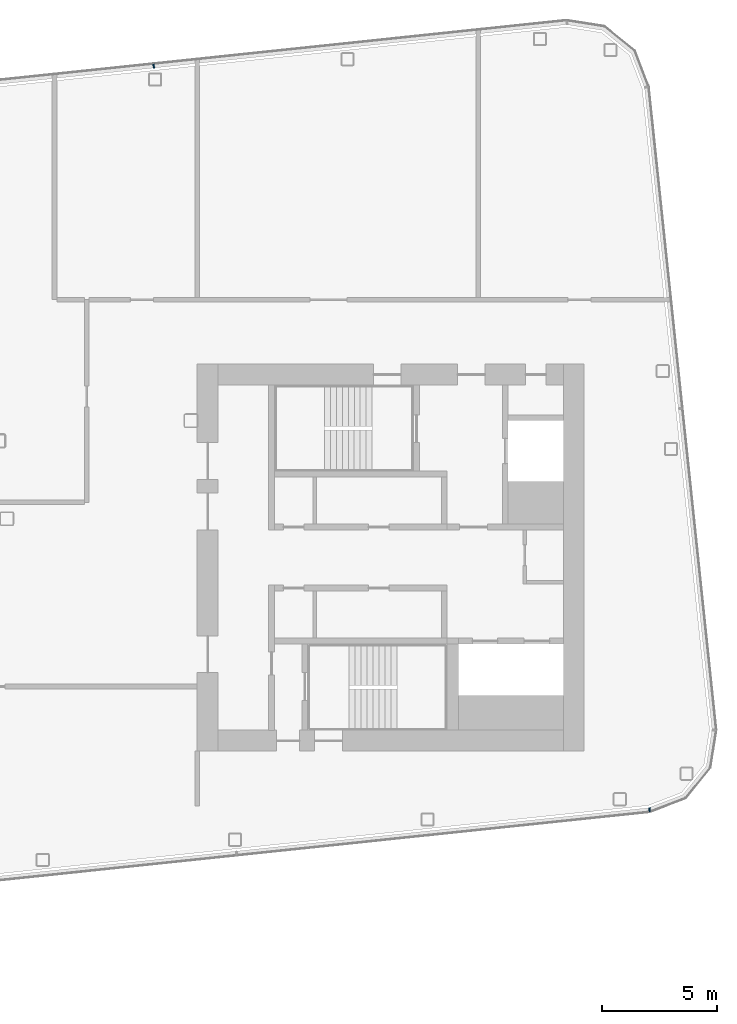
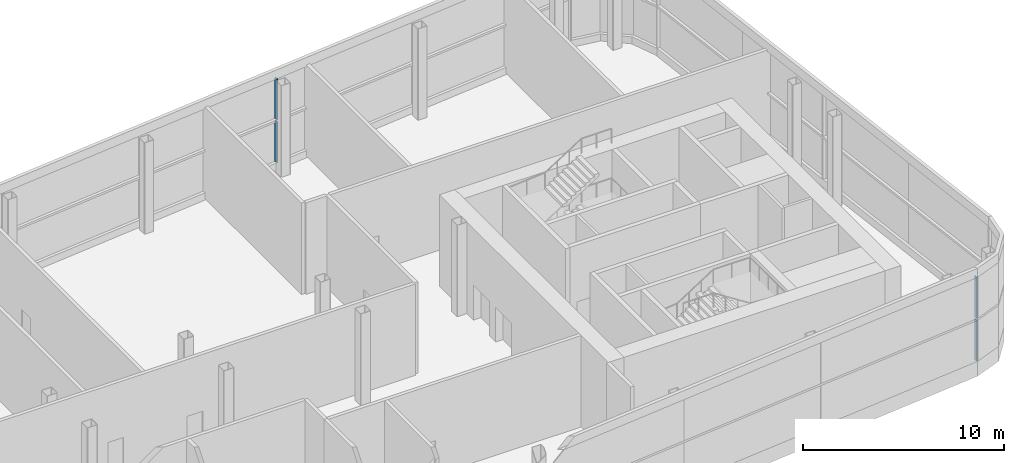
# One storey, part 11 of 35: 4 members, 2 elements without a shape of their own.
"""IFC4 building model written with IfcOpenShell, lengths in metres."""

from ifc_helpers import new_model, si_unit, direction, frame, origin, origin_2d, place, context, subcontext, project, spatial, rectangle, extrude, material, layer, layer_set, material_profile, profile_set, type_object, element, aggregate, save


model = new_model("IFC4")

# Units and contexts
model_context = context("Model", 3, precision=1e-05, world=origin(), true_north=direction((0.0, 1.0)))
body_context = subcontext(model_context, "Body", "Model", "MODEL_VIEW")
ifc_project = project(units=[si_unit("LENGTHUNIT", "METRE"), si_unit("AREAUNIT", "SQUARE_METRE"), si_unit("VOLUMEUNIT", "CUBIC_METRE"), si_unit("PLANEANGLEUNIT", "RADIAN"), si_unit("MASSUNIT", "GRAM", prefix="KILO")], contexts=[model_context])

# Site, building, storey
site_placement = place(None, origin())
site = spatial("IfcSite", under=ifc_project, at=site_placement, CompositionType="ELEMENT")
building_placement = place(site_placement, origin())
building = spatial("IfcBuilding", under=site, at=building_placement, Name="Hakoniwa Tower and Hamabe Station Hall", CompositionType="ELEMENT")
storey_placement = place(building_placement, frame((0.0, 0.0, 270.60009765625)))
storey = spatial("IfcBuildingStorey", under=building, at=storey_placement, Name="L76", CompositionType="ELEMENT", Elevation=270.60009765625)

# Curtain wall, members
ifc_material_1 = material(Name="Dark low-e laminated glass", Category="glass")
ifc_layer = layer(ifc_material_1, 0.199951171875)
ifc_layer_set = layer_set([ifc_layer], Name="CW-1 UNITISED GUEST")
curtain_wall_type = type_object("IfcCurtainWallType", Name="CW-1 UNITISED GUEST", PredefinedType="NOTDEFINED", material=ifc_layer_set)
curtain_wall_1_placement = place(storey_placement, origin())
curtain_wall_1 = element("IfcCurtainWall", 1, at=curtain_wall_1_placement, inside=storey, type_object=curtain_wall_type, Name="CW-1 curtain wall", PredefinedType="NOTDEFINED")
ifc_material_2 = material(Name="Aluminium 6063-T5 black anodised", Category="aluminium")
ifc_material_profile = material_profile(ifc_material_2, rectangle(XDim=0.06005859375, YDim=0.179931640625, at=origin_2d()), Name="CW-1 MULLION 60X180")
ifc_profile_set = profile_set([ifc_material_profile], Name="Aluminium 6063-T5 black anodised")
member_type = type_object("IfcMemberType", Name="CW-1 MULLION 60X180", PredefinedType="MULLION", material=ifc_profile_set)
member_1_placement = place(storey_placement, frame((14.911865234375, 21.343994140625, 0.349853515625), z_axis=(0.0, 0.0, 1.0), x_axis=(-0.994521895272, -0.104528464188, 0.0)))
member_1 = element("IfcMember", 2, at=member_1_placement, type_object=member_type, Name="CW-1 mullion", PredefinedType="MULLION", context=body_context, shape_type="SweptSolid", body=[
    extrude(rectangle(XDim=0.06005859375, YDim=0.179931640625, at=origin_2d()), origin(), (0.0, 0.0, 1.0), 2.489990234375),
])
member_2_placement = place(storey_placement, frame((14.911865234375, 21.343994140625, 2.9599609375), z_axis=(0.0, 0.0, 1.0), x_axis=(-0.994521895272, -0.104528464188, 0.0)))
member_2 = element("IfcMember", 3, at=member_2_placement, type_object=member_type, Name="CW-1 mullion", PredefinedType="MULLION", context=body_context, shape_type="SweptSolid", body=[
    extrude(rectangle(XDim=0.06005859375, YDim=0.179931640625, at=origin_2d()), origin(), (0.0, 0.0, 1.0), 2.489990234375),
])
aggregate(curtain_wall_1, [member_1, member_2])

curtain_wall_2_placement = place(storey_placement, origin())
curtain_wall_2 = element("IfcCurtainWall", 4, at=curtain_wall_2_placement, inside=storey, type_object=curtain_wall_type, Name="CW-1 curtain wall", PredefinedType="NOTDEFINED")
member_3_placement = place(storey_placement, frame((36.444580078125, -10.946044921875, 0.349853515625), z_axis=(0.0, 0.0, 1.0), x_axis=(0.994521895272, 0.104528464188, 0.0)))
member_3 = element("IfcMember", 5, at=member_3_placement, type_object=member_type, Name="CW-1 mullion", PredefinedType="MULLION", context=body_context, shape_type="SweptSolid", body=[
    extrude(rectangle(XDim=0.06005859375, YDim=0.179931640625, at=origin_2d()), origin(), (0.0, 0.0, 1.0), 2.489990234375),
])
member_4_placement = place(storey_placement, frame((36.444580078125, -10.946044921875, 2.9599609375), z_axis=(0.0, 0.0, 1.0), x_axis=(0.994521895272, 0.104528464188, 0.0)))
member_4 = element("IfcMember", 6, at=member_4_placement, type_object=member_type, Name="CW-1 mullion", PredefinedType="MULLION", context=body_context, shape_type="SweptSolid", body=[
    extrude(rectangle(XDim=0.06005859375, YDim=0.179931640625, at=origin_2d()), origin(), (0.0, 0.0, 1.0), 2.489990234375),
])
aggregate(curtain_wall_2, [member_3, member_4])

save(model, "model.ifc")
